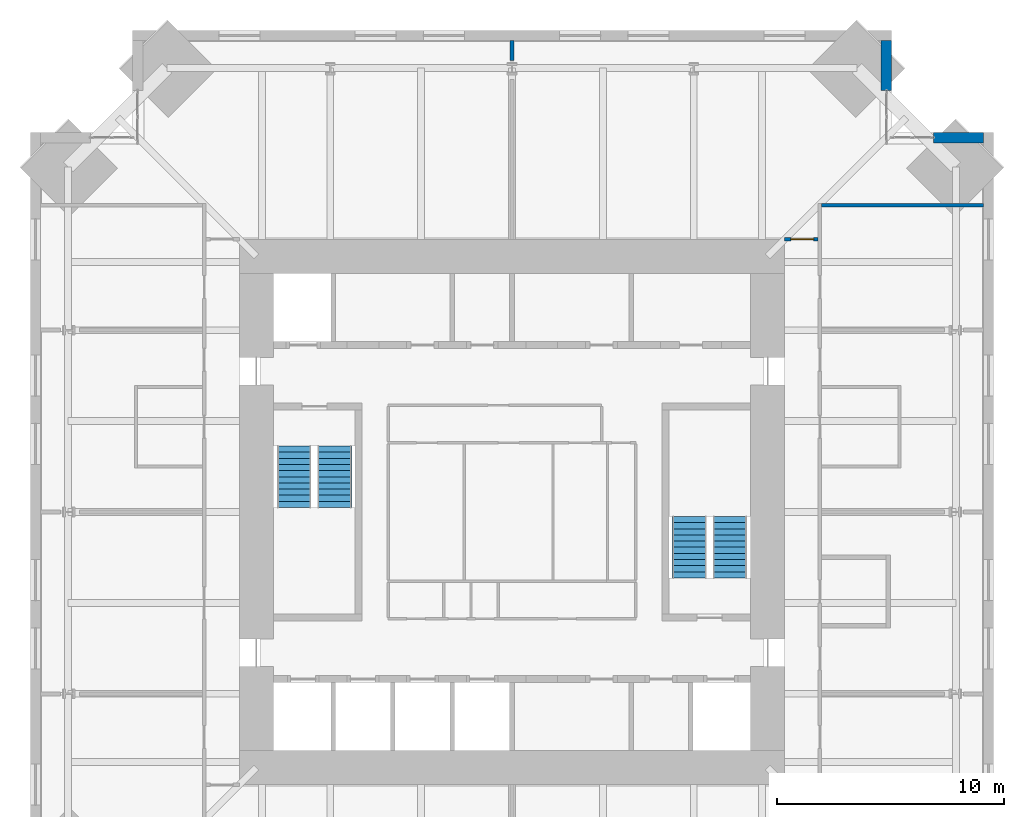
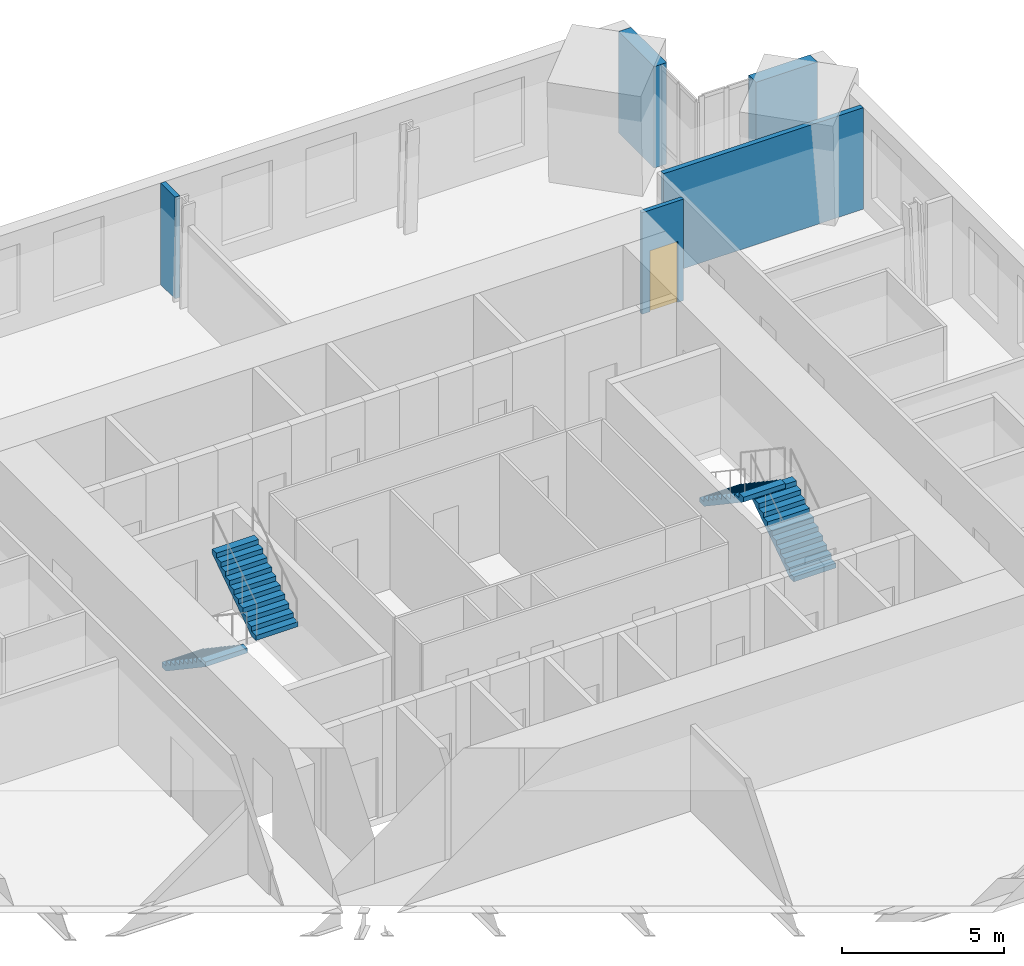
# One storey, part 14 of 15: 5 walls, 4 stair flights, 1 door, 1 opening, 2 elements without a shape of their own.
"""IFC4 building model written with IfcOpenShell, lengths in metres."""

from ifc_helpers import new_model, si_unit, direction, frame, frame_2d, origin, place, context, subcontext, project, spatial, polyline, rectangle, outline, extrude, material, layer, layer_set, type_object, element, fill, aggregate, save


model = new_model("IFC4")

# Units and contexts
model_context = context("Model", 3, precision=1e-05, world=origin(), true_north=direction((0.0, 1.0)))
body_context = subcontext(model_context, "Body", "Model", "MODEL_VIEW")
ifc_project = project(units=[si_unit("LENGTHUNIT", "METRE"), si_unit("AREAUNIT", "SQUARE_METRE"), si_unit("VOLUMEUNIT", "CUBIC_METRE"), si_unit("PLANEANGLEUNIT", "RADIAN"), si_unit("MASSUNIT", "GRAM", prefix="KILO")], contexts=[model_context])

# Site, building, storey
site_placement = place(None, origin())
site = spatial("IfcSite", under=ifc_project, at=site_placement, CompositionType="ELEMENT")
building_placement = place(site_placement, origin())
building = spatial("IfcBuilding", under=site, at=building_placement, Name="Peilmerk Tower", CompositionType="ELEMENT")
storey_placement = place(building_placement, frame((0.0, 0.0, 281.800048828125)))
storey = spatial("IfcBuildingStorey", under=building, at=storey_placement, Name="L63", CompositionType="ELEMENT", Elevation=281.800048828125)

# Walls
ifc_material_1 = material(Name="Precast concrete C45/55, board-marked finish", Category="concrete")
ifc_layer_1 = layer(ifc_material_1, 0.449951171875)
ifc_layer_set_1 = layer_set([ifc_layer_1], Name="Precast concrete C45/55, board-marked finish")
wall_type_1 = type_object("IfcWallType", Name="EW1 450 precast concrete facade wall, board-marked", PredefinedType="SOLIDWALL", material=ifc_layer_set_1)
for number, where, z_axis, x_axis, name in (
    (1, (16.47509765625, 18.5537109375, 0.0), (0.0, 0.0, 1.0), (0.0, 1.0, 0.0), "Facade wall NEA L63"),
    (2, (18.5537109375, 16.47509765625, 0.0), (0.0, 0.0, 1.0), (1.0, 0.0, 0.0), "Facade wall NEB L63"),
):
    element("IfcWall", number, at=place(storey_placement, frame(where, z_axis=z_axis, x_axis=x_axis)), inside=storey, type_object=wall_type_1, Name=name, PredefinedType="SOLIDWALL", context=body_context, shape_type="SweptSolid", body=[
        extrude(rectangle(XDim=2.1962890625, YDim=0.449951171875, at=frame_2d((1.09814453125, 0.0))), origin(), (0.0, 0.0, 1.0), 3.829833984375),
    ])

# Wall, opening, door
ifc_material_2 = material(Name="Calcium silicate block", Category="masonry")
ifc_layer_2 = layer(ifc_material_2, 0.14990234375)
ifc_layer_set_2 = layer_set([ifc_layer_2], Name="Calcium silicate block")
wall_type_2 = type_object("IfcWallType", Name="IW1 150 corridor partition, EI 60", PredefinedType="PARTITIONING", material=ifc_layer_set_2)
wall_1_placement = place(storey_placement, frame((12.0, 12.0, 0.0), z_axis=(0.0, 0.0, 1.0), x_axis=(1.0, 0.0, 0.0)))
wall_1 = element("IfcWall", 3, at=wall_1_placement, inside=storey, type_object=wall_type_2, Name="Corridor wall NE L63", PredefinedType="PARTITIONING", context=body_context, shape_type="SweptSolid", body=[
    extrude(rectangle(XDim=1.47509765625, YDim=0.14990234375, at=frame_2d((0.737548828125, 0.0))), origin(), (0.0, 0.0, 1.0), 3.829833984375),
])
opening_placement = place(wall_1_placement, frame((0.27490234375, 0.0, 0.0)))
opening = element("IfcOpeningElement", 4, at=opening_placement, cuts=wall_1, Name="Opening D1", PredefinedType="OPENING", context=body_context, shape_type="SweptSolid", body=[
    extrude(rectangle(XDim=1.0, YDim=2.300048828125, at=frame_2d((0.5, 1.14990234375))), frame((0.0, 0.0849609375, 0.0), z_axis=(0.0, -1.0, 0.0), x_axis=(1.0, 0.0, 0.0)), (0.0, 0.0, 1.0), 0.169921875),
])
ifc_material_3 = material(Name="Timber door in steel frame", Category="steel")
door_type = type_object("IfcDoorType", Name="D1 1000x2300 room door, EI2 30", OperationType="SINGLE_SWING_LEFT", PredefinedType="DOOR", material=ifc_material_3)
door_placement = place(opening_placement, origin())
door = element("IfcDoor", 5, at=door_placement, inside=storey, type_object=door_type, Name="Door Reception L63", OperationType="SINGLE_SWING_LEFT", OverallHeight=2.300048828125, OverallWidth=1.0, PredefinedType="DOOR", context=body_context, shape_type="SweptSolid", body=[
    extrude(rectangle(XDim=1.0, YDim=2.300048828125, at=frame_2d((0.5, 1.14990234375))), frame((0.0, 0.02490234375, 0.0), z_axis=(0.0, -1.0, 0.0), x_axis=(1.0, 0.0, 0.0)), (0.0, 0.0, 1.0), 0.050048828125),
])
fill(opening, door)

# Walls
ifc_layer_3 = layer(ifc_material_2, 0.175048828125)
ifc_layer_set_3 = layer_set([ifc_layer_3], Name="Calcium silicate block")
wall_type_3 = type_object("IfcWallType", Name="IW8 175 tenant separating wall, EI 60", PredefinedType="PARTITIONING", material=ifc_layer_set_3)
wall_2_placement = place(storey_placement, frame((13.625, 13.5, 0.0), z_axis=(0.0, 0.0, 1.0), x_axis=(1.0, 0.0, 0.0)))
element("IfcWall", 6, at=wall_2_placement, inside=storey, type_object=wall_type_3, Name="Tenant separating wall NE L63", PredefinedType="PARTITIONING", context=body_context, shape_type="SweptSolid", body=[
    extrude(rectangle(XDim=7.125, YDim=0.175048828125, at=frame_2d((3.5625, 0.0))), origin(), (0.0, 0.0, 1.0), 3.829833984375),
])
wall_3_placement = place(storey_placement, frame((0.0, 19.863525390625, 0.0), z_axis=(0.0, 0.0, 1.0), x_axis=(0.0, 1.0, 0.0)))
element("IfcWall", 7, at=wall_3_placement, inside=storey, type_object=wall_type_3, Name="Tenant separating wall N1b L63", PredefinedType="PARTITIONING", context=body_context, shape_type="SweptSolid", body=[
    extrude(rectangle(XDim=0.886474609375, YDim=0.175048828125, at=frame_2d((0.443359375, 0.0))), origin(), (0.0, 0.0, 1.0), 3.829833984375),
])

# Stair, stair flights
ifc_material_4 = material(Name="Precast concrete C45/55", Category="concrete")
stair_type_1 = type_object("IfcStairType", Name="ST1 22 risers of 181.8", PredefinedType="HALF_TURN_STAIR", material=ifc_material_4)
stair_1_placement = place(storey_placement, origin())
stair_1 = element("IfcStair", 8, at=stair_1_placement, inside=storey, type_object=stair_type_1, Name="Stair 1 L63 to L64", PredefinedType="HALF_TURN_STAIR")
stair_flight_type = type_object("IfcStairFlightType", Name="SF11 flight, 11 risers of 181.8", PredefinedType="STRAIGHT", material=ifc_material_4)
stair_flight_1_placement = place(storey_placement, frame((-9.60009765625, 2.89990234375, 0.0), z_axis=(0.0, 0.0, 1.0), x_axis=(0.0, -1.0, 0.0)))
stair_flight_1 = element("IfcStairFlight", 9, at=stair_flight_1_placement, type_object=stair_flight_type, Name="ST1 flight 1", NumberOfRisers=11, NumberOfTreads=10, PredefinedType="STRAIGHT", RiserHeight=0.181818182, TreadLength=0.27, context=body_context, shape_type="SweptSolid", body=[
    extrude(outline(polyline([(0.0, 0.0), (0.0, 0.181884765625), (0.27001953125, 0.181884765625), (0.27001953125, 0.363525390625), (0.5400390625, 0.363525390625), (0.5400390625, 0.54541015625), (0.81005859375, 0.54541015625), (0.81005859375, 0.727294921875), (1.080078125, 0.727294921875), (1.080078125, 0.9091796875), (1.35009765625, 0.9091796875), (1.35009765625, 1.0908203125), (1.6201171875, 1.0908203125), (1.6201171875, 1.272705078125), (1.889892578125, 1.272705078125), (1.889892578125, 1.45458984375), (2.159912109375, 1.45458984375), (2.159912109375, 1.636474609375), (2.429931640625, 1.636474609375), (2.429931640625, 1.818115234375), (2.699951171875, 1.818115234375), (2.699951171875, 2.0), (2.699951171875, 1.637451171875), (0.268310546875, 0.0), (0.0, 0.0)])), frame((0.0, 0.75, 0.0), z_axis=(0.0, -1.0, 0.0), x_axis=(1.0, 0.0, 0.0)), (0.0, 0.0, 1.0), 1.5),
])
stair_flight_2_placement = place(storey_placement, frame((-7.800048828125, 0.199951171875, 2.0), z_axis=(0.0, 0.0, 1.0), x_axis=(0.0, 1.0, 0.0)))
stair_flight_2 = element("IfcStairFlight", 10, at=stair_flight_2_placement, type_object=stair_flight_type, Name="ST1 flight 2", NumberOfRisers=11, NumberOfTreads=10, PredefinedType="STRAIGHT", RiserHeight=0.181818182, TreadLength=0.27, context=body_context, shape_type="SweptSolid", body=[
    extrude(outline(polyline([(0.0, 0.0), (0.0, 0.181884765625), (0.27001953125, 0.181884765625), (0.27001953125, 0.363525390625), (0.5400390625, 0.363525390625), (0.5400390625, 0.54541015625), (0.81005859375, 0.54541015625), (0.81005859375, 0.727294921875), (1.080078125, 0.727294921875), (1.080078125, 0.9091796875), (1.35009765625, 0.9091796875), (1.35009765625, 1.0908203125), (1.6201171875, 1.0908203125), (1.6201171875, 1.272705078125), (1.889892578125, 1.272705078125), (1.889892578125, 1.45458984375), (2.159912109375, 1.45458984375), (2.159912109375, 1.636474609375), (2.429931640625, 1.636474609375), (2.429931640625, 1.818115234375), (2.699951171875, 1.818115234375), (2.699951171875, 2.0), (2.699951171875, 1.637451171875), (0.268310546875, 0.0), (0.0, 0.0)])), frame((0.0, 0.75, 0.0), z_axis=(0.0, -1.0, 0.0), x_axis=(1.0, 0.0, 0.0)), (0.0, 0.0, 1.0), 1.5),
])
aggregate(stair_1, [stair_flight_1, stair_flight_2])

stair_type_2 = type_object("IfcStairType", Name="ST2 22 risers of 181.8", PredefinedType="HALF_TURN_STAIR", material=ifc_material_4)
stair_2_placement = place(storey_placement, origin())
stair_2 = element("IfcStair", 11, at=stair_2_placement, inside=storey, type_object=stair_type_2, Name="Stair 2 L63 to L64", PredefinedType="HALF_TURN_STAIR")
stair_flight_3_placement = place(storey_placement, frame((9.60009765625, -2.89990234375, 0.0), z_axis=(0.0, 0.0, 1.0), x_axis=(0.0, 1.0, 0.0)))
stair_flight_3 = element("IfcStairFlight", 12, at=stair_flight_3_placement, type_object=stair_flight_type, Name="ST2 flight 1", NumberOfRisers=11, NumberOfTreads=10, PredefinedType="STRAIGHT", RiserHeight=0.181818182, TreadLength=0.27, context=body_context, shape_type="SweptSolid", body=[
    extrude(outline(polyline([(0.0, 0.0), (0.0, 0.181884765625), (0.27001953125, 0.181884765625), (0.27001953125, 0.363525390625), (0.5400390625, 0.363525390625), (0.5400390625, 0.54541015625), (0.81005859375, 0.54541015625), (0.81005859375, 0.727294921875), (1.080078125, 0.727294921875), (1.080078125, 0.9091796875), (1.35009765625, 0.9091796875), (1.35009765625, 1.0908203125), (1.6201171875, 1.0908203125), (1.6201171875, 1.272705078125), (1.889892578125, 1.272705078125), (1.889892578125, 1.45458984375), (2.159912109375, 1.45458984375), (2.159912109375, 1.636474609375), (2.429931640625, 1.636474609375), (2.429931640625, 1.818115234375), (2.699951171875, 1.818115234375), (2.699951171875, 2.0), (2.699951171875, 1.637451171875), (0.268310546875, 0.0), (0.0, 0.0)])), frame((0.0, 0.75, 0.0), z_axis=(0.0, -1.0, 0.0), x_axis=(1.0, 0.0, 0.0)), (0.0, 0.0, 1.0), 1.5),
])
stair_flight_4_placement = place(storey_placement, frame((7.800048828125, -0.199951171875, 2.0), z_axis=(0.0, 0.0, 1.0), x_axis=(0.0, -1.0, 0.0)))
stair_flight_4 = element("IfcStairFlight", 13, at=stair_flight_4_placement, type_object=stair_flight_type, Name="ST2 flight 2", NumberOfRisers=11, NumberOfTreads=10, PredefinedType="STRAIGHT", RiserHeight=0.181818182, TreadLength=0.27, context=body_context, shape_type="SweptSolid", body=[
    extrude(outline(polyline([(0.0, 0.0), (0.0, 0.181884765625), (0.27001953125, 0.181884765625), (0.27001953125, 0.363525390625), (0.5400390625, 0.363525390625), (0.5400390625, 0.54541015625), (0.81005859375, 0.54541015625), (0.81005859375, 0.727294921875), (1.080078125, 0.727294921875), (1.080078125, 0.9091796875), (1.35009765625, 0.9091796875), (1.35009765625, 1.0908203125), (1.6201171875, 1.0908203125), (1.6201171875, 1.272705078125), (1.889892578125, 1.272705078125), (1.889892578125, 1.45458984375), (2.159912109375, 1.45458984375), (2.159912109375, 1.636474609375), (2.429931640625, 1.636474609375), (2.429931640625, 1.818115234375), (2.699951171875, 1.818115234375), (2.699951171875, 2.0), (2.699951171875, 1.637451171875), (0.268310546875, 0.0), (0.0, 0.0)])), frame((0.0, 0.75, 0.0), z_axis=(0.0, -1.0, 0.0), x_axis=(1.0, 0.0, 0.0)), (0.0, 0.0, 1.0), 1.5),
])
aggregate(stair_2, [stair_flight_3, stair_flight_4])

save(model, "model.ifc")
